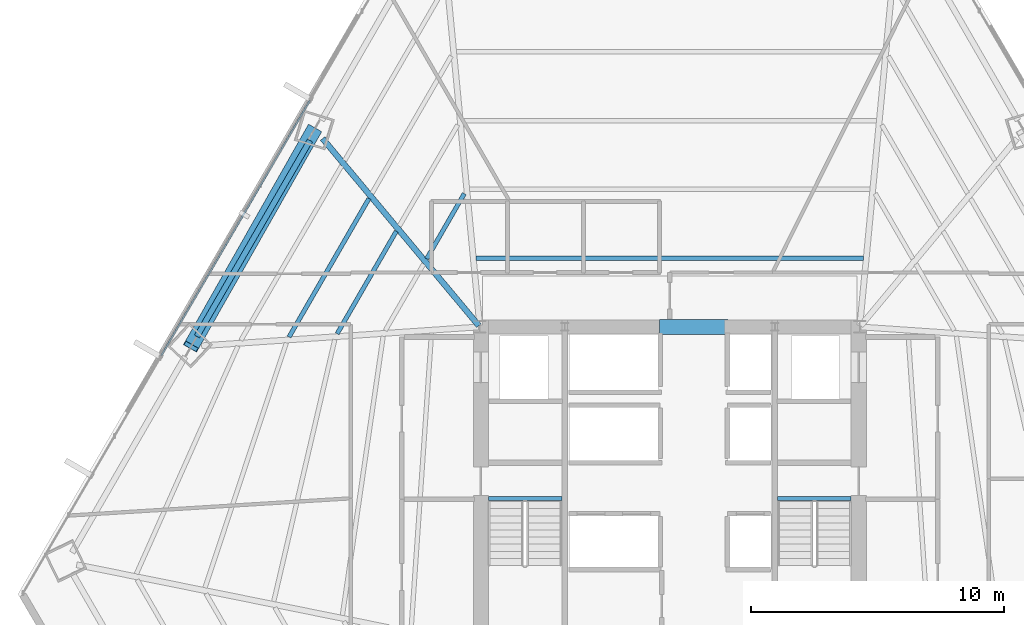
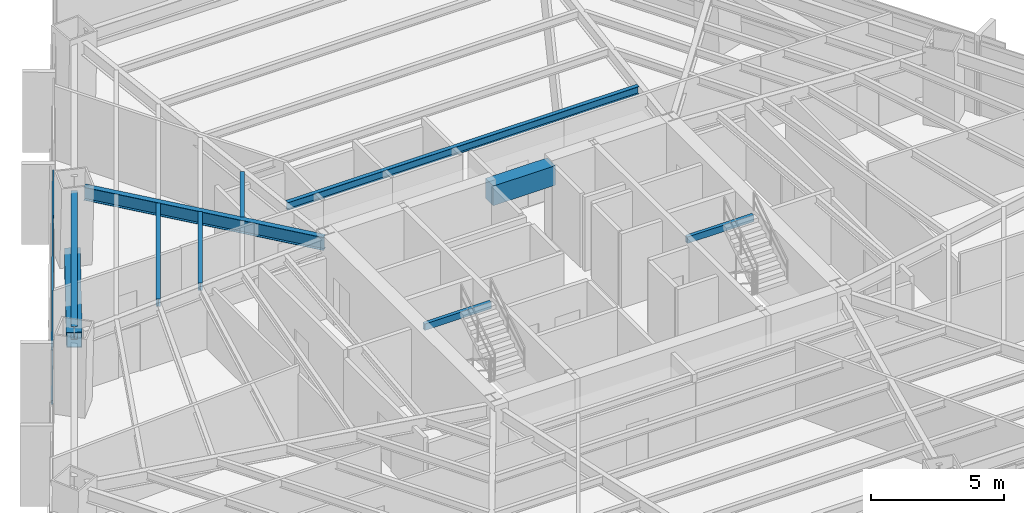
# One storey, part 11 of 33: 9 beams, 3 members, 1 element without a shape of its own.
"""IFC4 building model written with IfcOpenShell, lengths in metres."""

from ifc_helpers import new_model, si_unit, direction, frame, origin, origin_2d, place, context, subcontext, project, spatial, rectangle, hollow_rectangle, i_section, extrude, source, transform, mapped, material, material_profile, profile_set, type_object, type_shapes, element, aggregate, save


model = new_model("IFC4")

# Units and contexts
model_context = context("Model", 3, precision=1e-05, world=origin(), true_north=direction((0.0, 1.0)))
body_context = subcontext(model_context, "Body", "Model", "MODEL_VIEW")
ifc_project = project(units=[si_unit("LENGTHUNIT", "METRE"), si_unit("AREAUNIT", "SQUARE_METRE"), si_unit("VOLUMEUNIT", "CUBIC_METRE"), si_unit("PLANEANGLEUNIT", "RADIAN"), si_unit("MASSUNIT", "GRAM", prefix="KILO")], contexts=[model_context])

# Site, building, storey
site_placement = place(None, origin())
site = spatial("IfcSite", under=ifc_project, at=site_placement, CompositionType="ELEMENT")
building_placement = place(site_placement, origin())
building = spatial("IfcBuilding", under=site, at=building_placement, Name="Caelisora Broadcast Tower", CompositionType="ELEMENT")
storey_placement = place(building_placement, frame((0.0, 0.0, 34.89990234375)))
storey = spatial("IfcBuildingStorey", under=building, at=storey_placement, Name="L08", CompositionType="ELEMENT", Elevation=34.89990234375)

# Beams
ifc_material_1 = material(Name="Steel Grade 350 (AS/NZS 1163 C350L0)", Category="steel")
ifc_material_profile_1 = material_profile(ifc_material_1, hollow_rectangle(XDim=0.14990234375, YDim=0.300048828125, WallThickness=0.010009765625, at=origin_2d()), Name="Steel Grade 350 (AS/NZS 1163 C350L0)")
ifc_profile_set_1 = profile_set([ifc_material_profile_1], Name="Steel Grade 350 (AS/NZS 1163 C350L0)")
beam_type_1 = type_object("IfcBeamType", Name="SB05", PredefinedType="JOIST", material=ifc_profile_set_1)
shared_shape_1 = source(origin(), body_context, "Body", "SweptSolid", [
    extrude(hollow_rectangle(XDim=0.14990234375, YDim=0.300048828125, WallThickness=0.010009765625, at=origin_2d()), origin(), (0.0, 0.0, 1.0), 2.89990234375),
])
type_shapes(beam_type_1, [shared_shape_1])
for number, where, z_axis, x_axis, name in (
    (1, (30.840087890625, 23.219970703125, 3.25), (1.0, 0.0, 0.0), (0.0, 1.0, 0.0), "L08 beam SB05"),
    (2, (42.260009765625, 23.219970703125, 3.25), (1.0, 0.0, 0.0), (0.0, 1.0, 0.0), "L08 beam SB05"),
):
    element("IfcBeam", number, at=place(storey_placement, frame(where, z_axis=z_axis, x_axis=x_axis)), inside=storey, type_object=beam_type_1, Name=name, PredefinedType="JOIST", context=body_context, shape_type="MappedRepresentation", body=[
        mapped(shared_shape_1, transform((0.0, 0.0, 0.0), scale=1.0)),
    ])
ifc_material_2 = material(Name="Concrete 50 MPa (AS 3600 S50)", Category="concrete")
ifc_material_profile_2 = material_profile(ifc_material_2, rectangle(XDim=0.60009765625, YDim=0.89990234375, at=origin_2d()), Name="Concrete 50 MPa (AS 3600 S50)")
ifc_profile_set_2 = profile_set([ifc_material_profile_2], Name="Concrete 50 MPa (AS 3600 S50)")
beam_type_2 = type_object("IfcBeamType", Name="CB02", PredefinedType="LINTEL", material=ifc_profile_set_2)
shared_shape_2 = source(origin(), body_context, "Body", "SweptSolid", [
    extrude(rectangle(XDim=0.60009765625, YDim=0.89990234375, at=origin_2d()), origin(), (0.0, 0.0, 1.0), 2.699951171875),
])
type_shapes(beam_type_2, [shared_shape_2])
beam_1_placement = place(storey_placement, frame((37.60009765625, 30.0, 2.9501953125), z_axis=(1.0, 0.0, 0.0), x_axis=(0.0, 1.0, 0.0)))
element("IfcBeam", 3, at=beam_1_placement, inside=storey, type_object=beam_type_2, Name="L08 beam CB02", PredefinedType="LINTEL", context=body_context, shape_type="MappedRepresentation", body=[
    mapped(shared_shape_2, transform((0.0, 0.0, 0.0), scale=1.0)),
])
ifc_material_3 = material(Name="Steel Grade 350 (AS/NZS 3679.1)", Category="steel")
ifc_material_profile_3 = material_profile(ifc_material_3, i_section(OverallWidth=0.22900390625, OverallDepth=0.611572265625, WebThickness=0.011962890625, FlangeThickness=0.01953125, at=origin_2d()), Name="Steel Grade 350 (AS/NZS 3679.1)")
ifc_profile_set_3 = profile_set([ifc_material_profile_3], Name="Steel Grade 350 (AS/NZS 3679.1)")
beam_type_3 = type_object("IfcBeamType", Name="PG03", PredefinedType="BEAM", material=ifc_profile_set_3)
shared_shape_3 = source(origin(), body_context, "Body", "SweptSolid", [
    extrude(i_section(OverallWidth=0.22900390625, OverallDepth=0.611572265625, WebThickness=0.011962890625, FlangeThickness=0.01953125, at=origin_2d()), origin(), (0.0, 0.0, 1.0), 8.93310546875),
])
type_shapes(beam_type_3, [shared_shape_3])
beam_2_placement = place(storey_placement, frame((23.79345703125, 37.359619140625, 3.09423828125), z_axis=(-0.499998455933, -0.86602629525, 0.0), x_axis=(0.86602629525, -0.499998455933, 0.0)))
element("IfcBeam", 4, at=beam_2_placement, inside=storey, type_object=beam_type_3, Name="L08 beam PG03", PredefinedType="BEAM", context=body_context, shape_type="MappedRepresentation", body=[
    mapped(shared_shape_3, transform((0.0, 0.0, 0.0), scale=1.0)),
])
ifc_material_profile_4 = material_profile(ifc_material_3, i_section(OverallWidth=0.22802734375, OverallDepth=0.602294921875, WebThickness=0.010498046875, FlangeThickness=0.014892578125, at=origin_2d()), Name="Steel Grade 350 (AS/NZS 3679.1)")
ifc_profile_set_4 = profile_set([ifc_material_profile_4], Name="Steel Grade 350 (AS/NZS 3679.1)")
beam_type_4 = type_object("IfcBeamType", Name="PG04", PredefinedType="BEAM", material=ifc_profile_set_4)
shared_shape_4 = source(origin(), body_context, "Body", "SweptSolid", [
    extrude(i_section(OverallWidth=0.22802734375, OverallDepth=0.602294921875, WebThickness=0.010498046875, FlangeThickness=0.014892578125, at=origin_2d()), origin(), (0.0, 0.0, 1.0), 9.6259765625),
])
type_shapes(beam_type_4, [shared_shape_4])
beam_3_placement = place(storey_placement, frame((30.46142578125, 30.046142578125, 3.098876953125), z_axis=(-0.640837775615, 0.767676328504, 0.0), x_axis=(-0.767676328504, -0.640837775615, 0.0)))
element("IfcBeam", 5, at=beam_3_placement, inside=storey, type_object=beam_type_4, Name="L08 beam PG04", PredefinedType="BEAM", context=body_context, shape_type="MappedRepresentation", body=[
    mapped(shared_shape_4, transform((0.0, 0.0, 0.0), scale=1.0)),
])
ifc_material_profile_5 = material_profile(ifc_material_3, i_section(OverallWidth=0.172119140625, OverallDepth=0.358642578125, WebThickness=0.008056640625, FlangeThickness=0.012939453125, at=origin_2d()), Name="Steel Grade 350 (AS/NZS 3679.1)")
ifc_profile_set_5 = profile_set([ifc_material_profile_5], Name="Steel Grade 350 (AS/NZS 3679.1)")
beam_type_5 = type_object("IfcBeamType", Name="SB02", PredefinedType="JOIST", material=ifc_profile_set_5)
shared_shape_5 = source(origin(), body_context, "Body", "SweptSolid", [
    extrude(i_section(OverallWidth=0.172119140625, OverallDepth=0.358642578125, WebThickness=0.008056640625, FlangeThickness=0.012939453125, at=origin_2d()), origin(), (0.0, 0.0, 1.0), 15.29345703125),
])
beam_4_placement = place(storey_placement, frame((45.646728515625, 32.715087890625, 3.220703125), z_axis=(-1.0, 0.0, 0.0), x_axis=(0.0, -1.0, 0.0)))
element("IfcBeam", 6, at=beam_4_placement, inside=storey, type_object=beam_type_5, Name="L08 beam SB02", PredefinedType="JOIST", context=body_context, shape_type="MappedRepresentation", body=[
    mapped(shared_shape_5, transform((0.0, 0.0, 0.0), scale=1.0)),
])
shared_shape_6 = source(origin(), body_context, "Body", "SweptSolid", [
    extrude(i_section(OverallWidth=0.172119140625, OverallDepth=0.358642578125, WebThickness=0.008056640625, FlangeThickness=0.012939453125, at=origin_2d()), origin(), (0.0, 0.0, 1.0), 2.972412109375),
])
beam_5_placement = place(storey_placement, frame((29.88671875, 35.2626953125, 3.220703125), z_axis=(-0.500061363367, -0.865989972729, 0.0), x_axis=(0.865989972729, -0.500061363367, 0.0)))
element("IfcBeam", 7, at=beam_5_placement, inside=storey, type_object=beam_type_5, Name="L08 beam SB02", PredefinedType="JOIST", context=body_context, shape_type="MappedRepresentation", body=[
    mapped(shared_shape_6, transform((0.0, 0.0, 0.0), scale=1.0)),
])
shared_shape_7 = source(origin(), body_context, "Body", "SweptSolid", [
    extrude(i_section(OverallWidth=0.172119140625, OverallDepth=0.358642578125, WebThickness=0.008056640625, FlangeThickness=0.012939453125, at=origin_2d()), origin(), (0.0, 0.0, 1.0), 4.674072265625),
])
beam_6_placement = place(storey_placement, frame((27.202392578125, 33.776611328125, 3.220703125), z_axis=(-0.499981686864, -0.86603597662, 0.0), x_axis=(0.86603597662, -0.499981686864, 0.0)))
element("IfcBeam", 8, at=beam_6_placement, inside=storey, type_object=beam_type_5, Name="L08 beam SB02", PredefinedType="JOIST", context=body_context, shape_type="MappedRepresentation", body=[
    mapped(shared_shape_7, transform((0.0, 0.0, 0.0), scale=1.0)),
])
shared_shape_8 = source(origin(), body_context, "Body", "SweptSolid", [
    extrude(i_section(OverallWidth=0.172119140625, OverallDepth=0.358642578125, WebThickness=0.008056640625, FlangeThickness=0.012939453125, at=origin_2d()), origin(), (0.0, 0.0, 1.0), 6.316162109375),
])
type_shapes(beam_type_5, [shared_shape_5, shared_shape_6, shared_shape_7, shared_shape_8])
beam_7_placement = place(storey_placement, frame((26.123046875, 35.069580078125, 3.220703125), z_axis=(-0.49998455448, -0.866034321076, 0.0), x_axis=(0.866034321076, -0.49998455448, 0.0)))
element("IfcBeam", 9, at=beam_7_placement, inside=storey, type_object=beam_type_5, Name="L08 beam SB02", PredefinedType="JOIST", context=body_context, shape_type="MappedRepresentation", body=[
    mapped(shared_shape_8, transform((0.0, 0.0, 0.0), scale=1.0)),
])

# Member
ifc_material_4 = material(Name="Steel Grade 450 L15 (AS/NZS 3678)", Category="steel")
ifc_material_profile_6 = material_profile(ifc_material_4, hollow_rectangle(XDim=0.60009765625, YDim=0.60009765625, WallThickness=0.02490234375, at=origin_2d()), Name="Steel Grade 450 L15 (AS/NZS 3678)")
ifc_profile_set_6 = profile_set([ifc_material_profile_6], Name="Steel Grade 450 L15 (AS/NZS 3678)")
member_type_1 = type_object("IfcMemberType", Name="BR01", PredefinedType="BRACE", material=ifc_profile_set_6)
shared_shape_9 = source(origin(), body_context, "Body", "SweptSolid", [
    extrude(hollow_rectangle(XDim=0.60009765625, YDim=0.60009765625, WallThickness=0.02490234375, at=origin_2d()), origin(), (0.0, 0.0, 1.0), 10.284423828125),
])
type_shapes(member_type_1, [shared_shape_9])
member_1_placement = place(storey_placement, frame((23.95263671875, 37.780029296875, 0.10009765625), z_axis=(-0.472171081391, -0.831842476774, 0.29170629704), x_axis=(0.869666045997, -0.493640525524, 0.0)))
element("IfcMember", 10, at=member_1_placement, inside=storey, type_object=member_type_1, Name="L08 perimeter brace BR01", PredefinedType="BRACE", context=body_context, shape_type="MappedRepresentation", body=[
    mapped(shared_shape_9, transform((0.0, 0.0, 0.0), scale=1.0)),
])

# Curtain wall, members
ifc_material_5 = material(Name="Unitised Aluminium Insulated Shadow-Box Spandrel Curtain Wall", Category="aluminium")
curtain_wall_type = type_object("IfcCurtainWallType", Name="CW-SP1", PredefinedType="NOTDEFINED", material=ifc_material_5)
curtain_wall_placement = place(storey_placement, origin())
curtain_wall = element("IfcCurtainWall", 11, at=curtain_wall_placement, inside=storey, type_object=curtain_wall_type, Name="L08 curtain wall CW-SP1", PredefinedType="NOTDEFINED")
ifc_material_6 = material(Name="Aluminium 6063-T6 Anodised Terracotta Bronze", Category="aluminium")
ifc_material_profile_7 = material_profile(ifc_material_6, hollow_rectangle(XDim=0.06494140625, YDim=0.179931640625, WallThickness=0.00341796875, at=origin_2d()), Name="Aluminium 6063-T6 Anodised Terracotta Bronze")
ifc_profile_set_7 = profile_set([ifc_material_profile_7], Name="Aluminium 6063-T6 Anodised Terracotta Bronze")
member_type_2 = type_object("IfcMemberType", Name="CWT-01", PredefinedType="USERDEFINED", material=ifc_profile_set_7)
shared_shape_10 = source(origin(), body_context, "Body", "SweptSolid", [
    extrude(hollow_rectangle(XDim=0.06494140625, YDim=0.179931640625, WallThickness=0.00341796875, at=origin_2d()), origin(), (0.0, 0.0, 1.0), 11.660400390625),
])
type_shapes(member_type_2, [shared_shape_10])
member_2_placement = place(storey_placement, frame((17.921142578125, 28.86376953125, 0.85009765625), z_axis=(0.503296813137, 0.86411360242, 0.0), x_axis=(-0.86411360242, 0.503296813137, 0.0)))
member_2 = element("IfcMember", 12, at=member_2_placement, type_object=member_type_2, Name="L08-CW-B10 transom #1", ObjectType="TRANSOM", PredefinedType="USERDEFINED", context=body_context, shape_type="MappedRepresentation", body=[
    mapped(shared_shape_10, transform((0.0, 0.0, 0.0), scale=1.0)),
])
member_3_placement = place(storey_placement, frame((17.921142578125, 28.86376953125, 3.320068359375), z_axis=(0.503296813137, 0.86411360242, 0.0), x_axis=(-0.86411360242, 0.503296813137, 0.0)))
member_3 = element("IfcMember", 13, at=member_3_placement, type_object=member_type_2, Name="L08-CW-B10 transom #2", ObjectType="TRANSOM", PredefinedType="USERDEFINED", context=body_context, shape_type="MappedRepresentation", body=[
    mapped(shared_shape_10, transform((0.0, 0.0, 0.0), scale=1.0)),
])
aggregate(curtain_wall, [member_2, member_3])

save(model, "model.ifc")
